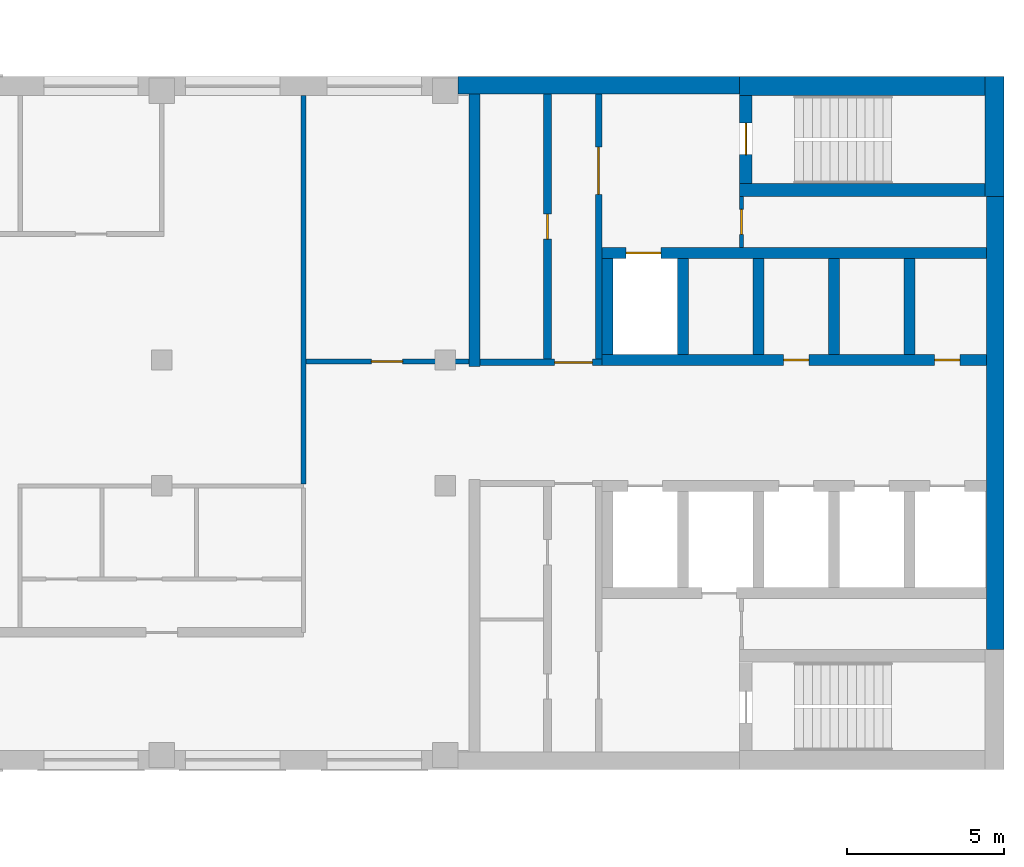
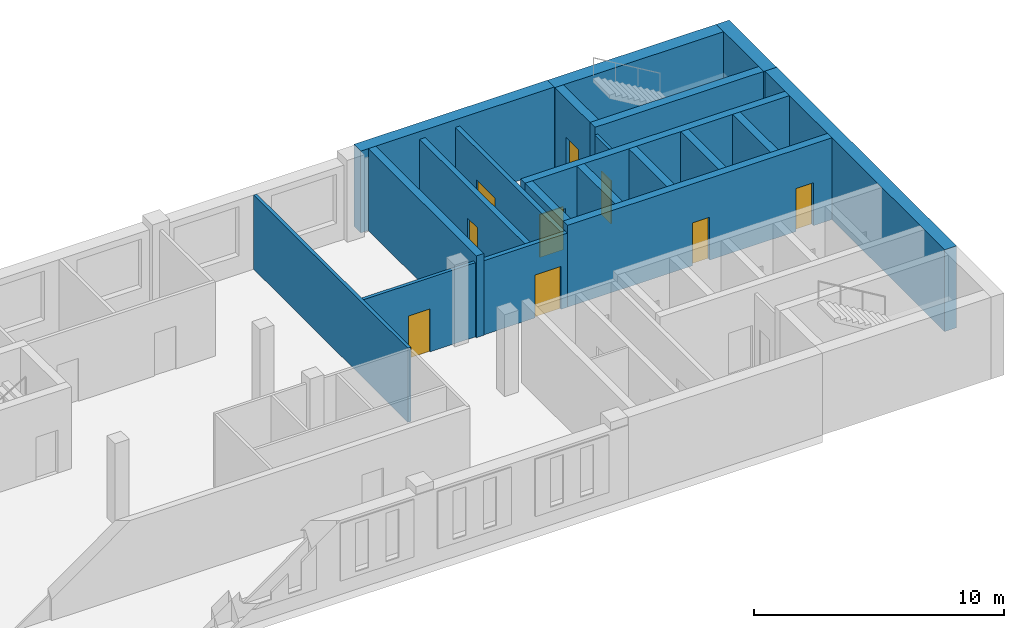
# One storey, part 6 of 10: 20 walls, 9 doors, 9 openings.
"""IFC4 building model written with IfcOpenShell, lengths in metres."""

from ifc_helpers import new_model, si_unit, direction, frame, frame_2d, origin, place, context, subcontext, project, spatial, rectangle, extrude, material, layer, layer_set, type_object, element, fill, save


model = new_model("IFC4")

# Units and contexts
model_context = context("Model", 3, precision=1e-05, world=origin(), true_north=direction((0.0, 1.0)))
body_context = subcontext(model_context, "Body", "Model", "MODEL_VIEW")
ifc_project = project(units=[si_unit("LENGTHUNIT", "METRE"), si_unit("AREAUNIT", "SQUARE_METRE"), si_unit("VOLUMEUNIT", "CUBIC_METRE"), si_unit("PLANEANGLEUNIT", "RADIAN"), si_unit("MASSUNIT", "GRAM", prefix="KILO")], contexts=[model_context])

# Site, building, storey
site_placement = place(None, origin())
site = spatial("IfcSite", under=ifc_project, at=site_placement, CompositionType="ELEMENT")
building_placement = place(site_placement, origin())
building = spatial("IfcBuilding", under=site, at=building_placement, Name="Skarvind Civic Tower", CompositionType="ELEMENT")
storey_placement = place(building_placement, frame((0.0, 0.0, 166.5)))
storey = spatial("IfcBuildingStorey", under=building, at=storey_placement, Name="L39", CompositionType="ELEMENT", Elevation=166.5)

# Wall, opening, door
ifc_material_1 = material(Name="Fire-rated masonry partition", Category="masonry")
ifc_layer_1 = layer(ifc_material_1, 0.199951171875)
ifc_layer_set_1 = layer_set([ifc_layer_1], Name="Core enclosure wall 200")
wall_type_1 = type_object("IfcWallType", Name="Core enclosure wall 200", PredefinedType="PARTITIONING", material=ifc_layer_set_1)
wall_1_placement = place(storey_placement, frame((91.35009765625, 129.925048828125, 0.0), z_axis=(0.0, 0.0, 1.0), x_axis=(1.0, 0.0, 0.0)))
wall_1 = element("IfcWall", 1, at=wall_1_placement, inside=storey, type_object=wall_type_1, Name="Core wall C1", PredefinedType="PARTITIONING", context=body_context, shape_type="SweptSolid", body=[
    extrude(rectangle(XDim=3.875, YDim=0.199951171875, at=frame_2d((1.9375, 0.0))), origin(), (0.0, 0.0, 1.0), 3.625),
])
opening_1_placement = place(wall_1_placement, frame((2.375, 0.0, 0.0)))
opening_1 = element("IfcOpeningElement", 2, at=opening_1_placement, cuts=wall_1, Name="Opening D-L39-C1-13", PredefinedType="OPENING", context=body_context, shape_type="SweptSolid", body=[
    extrude(rectangle(XDim=1.199951171875, YDim=2.10009765625, at=frame_2d((0.60009765625, 1.050048828125))), frame((0.0, 0.10986328125, 0.0), z_axis=(0.0, -1.0, 0.0), x_axis=(1.0, 0.0, 0.0)), (0.0, 0.0, 1.0), 0.219970703125),
])
ifc_material_2 = material(Name="Fire-rated steel door", Category="steel")
door_type_1 = type_object("IfcDoorType", Name="Core lobby door 1200", OperationType="NOTDEFINED", PredefinedType="DOOR", material=ifc_material_2)
door_1_placement = place(opening_1_placement, origin())
door_1 = element("IfcDoor", 3, at=door_1_placement, inside=storey, type_object=door_type_1, Name="Fire door", OperationType="DOUBLE_DOOR_SINGLE_SWING", OverallHeight=2.10009765625, OverallWidth=1.199951171875, PredefinedType="DOOR", context=body_context, shape_type="SweptSolid", body=[
    extrude(rectangle(XDim=1.199951171875, YDim=2.10009765625, at=frame_2d((0.60009765625, 1.050048828125))), frame((0.0, 0.02490234375, 0.0), z_axis=(0.0, -1.0, 0.0), x_axis=(1.0, 0.0, 0.0)), (0.0, 0.0, 1.0), 0.050048828125),
])
fill(opening_1, door_1)

wall_2_placement = place(storey_placement, frame((95.125, 130.02490234375, 0.0), z_axis=(0.0, 0.0, 1.0), x_axis=(0.0, 1.0, 0.0)))
wall_2 = element("IfcWall", 4, at=wall_2_placement, inside=storey, type_object=wall_type_1, Name="Core wall C1", PredefinedType="PARTITIONING", context=body_context, shape_type="SweptSolid", body=[
    extrude(rectangle(XDim=8.425048828125, YDim=0.199951171875, at=frame_2d((4.21240234375, 0.0))), origin(), (0.0, 0.0, 1.0), 3.625),
])
opening_2_placement = place(wall_2_placement, frame((5.237548828125, 0.0, 0.0)))
opening_2 = element("IfcOpeningElement", 5, at=opening_2_placement, cuts=wall_2, Name="Opening D-L39-C1-14", PredefinedType="OPENING", context=body_context, shape_type="SweptSolid", body=[
    extrude(rectangle(XDim=1.5, YDim=2.10009765625, at=frame_2d((0.75, 1.050048828125))), frame((0.0, 0.10986328125, 0.0), z_axis=(0.0, -1.0, 0.0), x_axis=(1.0, 0.0, 0.0)), (0.0, 0.0, 1.0), 0.219970703125),
])
door_type_2 = type_object("IfcDoorType", Name="Fire door 1500", OperationType="NOTDEFINED", PredefinedType="DOOR", material=ifc_material_2)
door_2_placement = place(opening_2_placement, origin())
door_2 = element("IfcDoor", 6, at=door_2_placement, inside=storey, type_object=door_type_2, Name="Fire door", OperationType="DOUBLE_DOOR_SINGLE_SWING", OverallHeight=2.10009765625, OverallWidth=1.5, PredefinedType="DOOR", context=body_context, shape_type="SweptSolid", body=[
    extrude(rectangle(XDim=1.5, YDim=2.10009765625, at=frame_2d((0.75, 1.050048828125))), frame((0.0, 0.02490234375, 0.0), z_axis=(0.0, -1.0, 0.0), x_axis=(1.0, 0.0, 0.0)), (0.0, 0.0, 1.0), 0.050048828125),
])
fill(opening_2, door_2)

# Wall, openings, doors
ifc_material_3 = material(Name="Concrete C60", Category="concrete")
ifc_layer_2 = layer(ifc_material_3, 0.35009765625)
ifc_layer_set_2 = layer_set([ifc_layer_2], Name="Core wall 350 C60")
wall_type_2 = type_object("IfcWallType", Name="Core wall 350 C60", PredefinedType="SHEAR", material=ifc_layer_set_2)
wall_3_placement = place(storey_placement, frame((107.449951171875, 130.0, 0.0), z_axis=(0.0, 0.0, 1.0), x_axis=(-1.0, 0.0, 0.0)))
wall_3 = element("IfcWall", 7, at=wall_3_placement, inside=storey, type_object=wall_type_2, Name="Core wall C1 south lift row front L39", PredefinedType="SHEAR", context=body_context, shape_type="SweptSolid", body=[
    extrude(rectangle(XDim=12.224853515625, YDim=0.35009765625, at=frame_2d((6.1123046875, 0.0))), origin(), (0.0, 0.0, 1.0), 4.0),
])
opening_3_placement = place(wall_3_placement, frame((0.85009765625, 0.0, 0.0)))
opening_3 = element("IfcOpeningElement", 8, at=opening_3_placement, cuts=wall_3, Name="Opening D-L39-C1-05", PredefinedType="OPENING", context=body_context, shape_type="SweptSolid", body=[
    extrude(rectangle(XDim=0.800048828125, YDim=2.10009765625, at=frame_2d((0.39990234375, 1.050048828125))), frame((0.0, 0.18505859375, 0.0), z_axis=(0.0, -1.0, 0.0), x_axis=(1.0, 0.0, 0.0)), (0.0, 0.0, 1.0), 0.3701171875),
])
opening_4_placement = place(wall_3_placement, frame((5.64990234375, 0.0, 0.0)))
opening_4 = element("IfcOpeningElement", 9, at=opening_4_placement, cuts=wall_3, Name="Opening D-L39-C1-06", PredefinedType="OPENING", context=body_context, shape_type="SweptSolid", body=[
    extrude(rectangle(XDim=0.800048828125, YDim=2.10009765625, at=frame_2d((0.39990234375, 1.050048828125))), frame((0.0, 0.18505859375, 0.0), z_axis=(0.0, -1.0, 0.0), x_axis=(1.0, 0.0, 0.0)), (0.0, 0.0, 1.0), 0.3701171875),
])
door_type_3 = type_object("IfcDoorType", Name="Core riser door 800", OperationType="NOTDEFINED", PredefinedType="DOOR", material=ifc_material_2)
door_3_placement = place(opening_3_placement, origin())
door_3 = element("IfcDoor", 10, at=door_3_placement, inside=storey, type_object=door_type_3, Name="Riser door", OperationType="SINGLE_SWING_LEFT", OverallHeight=2.10009765625, OverallWidth=0.800048828125, PredefinedType="DOOR", context=body_context, shape_type="SweptSolid", body=[
    extrude(rectangle(XDim=0.800048828125, YDim=2.10009765625, at=frame_2d((0.39990234375, 1.050048828125))), frame((0.0, 0.02490234375, 0.0), z_axis=(0.0, -1.0, 0.0), x_axis=(1.0, 0.0, 0.0)), (0.0, 0.0, 1.0), 0.050048828125),
])
fill(opening_3, door_3)
door_4_placement = place(opening_4_placement, origin())
door_4 = element("IfcDoor", 11, at=door_4_placement, inside=storey, type_object=door_type_3, Name="Riser door", OperationType="SINGLE_SWING_RIGHT", OverallHeight=2.10009765625, OverallWidth=0.800048828125, PredefinedType="DOOR", context=body_context, shape_type="SweptSolid", body=[
    extrude(rectangle(XDim=0.800048828125, YDim=2.10009765625, at=frame_2d((0.39990234375, 1.050048828125))), frame((0.0, 0.02490234375, 0.0), z_axis=(0.0, -1.0, 0.0), x_axis=(1.0, 0.0, 0.0)), (0.0, 0.0, 1.0), 0.050048828125),
])
fill(opening_4, door_4)

# Wall, opening, door
wall_4_placement = place(storey_placement, frame((107.449951171875, 133.39990234375, 0.0), z_axis=(0.0, 0.0, 1.0), x_axis=(-1.0, 0.0, 0.0)))
wall_4 = element("IfcWall", 12, at=wall_4_placement, inside=storey, type_object=wall_type_2, Name="Core wall C1 south lift row back L39", PredefinedType="SHEAR", context=body_context, shape_type="SweptSolid", body=[
    extrude(rectangle(XDim=12.224853515625, YDim=0.35009765625, at=frame_2d((6.1123046875, 0.0))), origin(), (0.0, 0.0, 1.0), 4.0),
])
opening_5_placement = place(wall_4_placement, frame((10.35009765625, 0.0, 0.0)))
opening_5 = element("IfcOpeningElement", 13, at=opening_5_placement, cuts=wall_4, Name="Opening LD41110", PredefinedType="OPENING", context=body_context, shape_type="SweptSolid", body=[
    extrude(rectangle(XDim=1.10009765625, YDim=2.10009765625, at=frame_2d((0.550048828125, 1.050048828125))), frame((0.0, 0.18505859375, 0.0), z_axis=(0.0, -1.0, 0.0), x_axis=(1.0, 0.0, 0.0)), (0.0, 0.0, 1.0), 0.3701171875),
])
ifc_material_4 = material(Name="Stainless steel landing door", Category="steel")
door_type_4 = type_object("IfcDoorType", Name="Lift landing door 1100", OperationType="DOUBLE_DOOR_SLIDING", PredefinedType="DOOR", material=ifc_material_4)
door_5_placement = place(opening_5_placement, origin())
door_5 = element("IfcDoor", 14, at=door_5_placement, inside=storey, type_object=door_type_4, Name="Lift landing door", OperationType="DOUBLE_DOOR_SLIDING", OverallHeight=2.10009765625, OverallWidth=1.10009765625, PredefinedType="DOOR", context=body_context, shape_type="SweptSolid", body=[
    extrude(rectangle(XDim=1.10009765625, YDim=2.10009765625, at=frame_2d((0.550048828125, 1.050048828125))), frame((0.0, 0.02490234375, 0.0), z_axis=(0.0, -1.0, 0.0), x_axis=(1.0, 0.0, 0.0)), (0.0, 0.0, 1.0), 0.050048828125),
])
fill(opening_5, door_5)

# Walls
for number, where, z_axis, x_axis, name in (
    (15, (105.0, 133.22509765625, 0.0), (0.0, 0.0, 1.0), (0.0, -1.0, 0.0), "Core wall C1 south lift row division 1 L39"),
    (16, (102.60009765625, 133.22509765625, 0.0), (0.0, 0.0, 1.0), (0.0, -1.0, 0.0), "Core wall C1 south lift row division 2 L39"),
    (17, (100.199951171875, 133.22509765625, 0.0), (0.0, 0.0, 1.0), (0.0, -1.0, 0.0), "Core wall C1 south lift row division 3 L39"),
    (18, (97.800048828125, 133.22509765625, 0.0), (0.0, 0.0, 1.0), (0.0, -1.0, 0.0), "Core wall C1 south lift row division 4 L39"),
    (19, (95.39990234375, 133.22509765625, 0.0), (0.0, 0.0, 1.0), (0.0, -1.0, 0.0), "Core wall C1 south lift row division 5 L39"),
):
    element("IfcWall", number, at=place(storey_placement, frame(where, z_axis=z_axis, x_axis=x_axis)), inside=storey, type_object=wall_type_2, Name=name, PredefinedType="SHEAR", context=body_context, shape_type="SweptSolid", body=[
        extrude(rectangle(XDim=3.050048828125, YDim=0.35009765625, at=frame_2d((1.52490234375, 0.0))), origin(), (0.0, 0.0, 1.0), 4.0),
    ])
wall_5_placement = place(storey_placement, frame((91.175048828125, 138.449951171875, 0.0), z_axis=(0.0, 0.0, 1.0), x_axis=(0.0, -1.0, 0.0)))
element("IfcWall", 20, at=wall_5_placement, inside=storey, type_object=wall_type_2, Name="Core wall C1 south inner face L39", PredefinedType="SHEAR", context=body_context, shape_type="SweptSolid", body=[
    extrude(rectangle(XDim=8.64990234375, YDim=0.35009765625, at=frame_2d((4.324951171875, 0.0))), origin(), (0.0, 0.0, 1.0), 4.0),
])
ifc_layer_3 = layer(ifc_material_3, 0.39990234375)
ifc_layer_set_3 = layer_set([ifc_layer_3], Name="Core wall 400 C60")
wall_type_3 = type_object("IfcWallType", Name="Core wall 400 C60", PredefinedType="SHEAR", material=ifc_layer_set_3)
wall_6_placement = place(storey_placement, frame((107.39990234375, 135.39990234375, 0.0), z_axis=(0.0, 0.0, 1.0), x_axis=(-1.0, 0.0, 0.0)))
element("IfcWall", 21, at=wall_6_placement, inside=storey, type_object=wall_type_3, Name="Core wall C1 south stair inner L39", PredefinedType="SHEAR", context=body_context, shape_type="SweptSolid", body=[
    extrude(rectangle(XDim=7.7998046875, YDim=0.39990234375, at=frame_2d((3.89990234375, 0.0))), origin(), (0.0, 0.0, 1.0), 4.0),
])

# Wall, opening, door
wall_7_placement = place(storey_placement, frame((99.800048828125, 138.39990234375, 0.0), z_axis=(0.0, 0.0, 1.0), x_axis=(0.0, -1.0, 0.0)))
wall_7 = element("IfcWall", 22, at=wall_7_placement, inside=storey, type_object=wall_type_3, Name="Core wall C1 south stair end L39", PredefinedType="SHEAR", context=body_context, shape_type="SweptSolid", body=[
    extrude(rectangle(XDim=2.7998046875, YDim=0.39990234375, at=frame_2d((1.39990234375, 0.0))), origin(), (0.0, 0.0, 1.0), 4.0),
])
opening_6_placement = place(wall_7_placement, frame((0.875, 0.0, 0.0)))
opening_6 = element("IfcOpeningElement", 23, at=opening_6_placement, cuts=wall_7, Name="Opening D-L39-C1-15", PredefinedType="OPENING", context=body_context, shape_type="SweptSolid", body=[
    extrude(rectangle(XDim=1.0, YDim=2.10009765625, at=frame_2d((0.5, 1.050048828125))), frame((0.0, 0.2099609375, 0.0), z_axis=(0.0, -1.0, 0.0), x_axis=(1.0, 0.0, 0.0)), (0.0, 0.0, 1.0), 0.419921875),
])
door_type_5 = type_object("IfcDoorType", Name="Fire door 1000", OperationType="NOTDEFINED", PredefinedType="DOOR", material=ifc_material_2)
door_6_placement = place(opening_6_placement, origin())
door_6 = element("IfcDoor", 24, at=door_6_placement, inside=storey, type_object=door_type_5, Name="Fire door", OperationType="SINGLE_SWING_RIGHT", OverallHeight=2.10009765625, OverallWidth=1.0, PredefinedType="DOOR", context=body_context, shape_type="SweptSolid", body=[
    extrude(rectangle(XDim=1.0, YDim=2.10009765625, at=frame_2d((0.5, 1.050048828125))), frame((0.0, 0.02490234375, 0.0), z_axis=(0.0, -1.0, 0.0), x_axis=(1.0, 0.0, 0.0)), (0.0, 0.0, 1.0), 0.050048828125),
])
fill(opening_6, door_6)

# Walls
ifc_layer_4 = layer(ifc_material_3, 0.550048828125)
ifc_layer_set_4 = layer_set([ifc_layer_4], Name="Core wall 550 C60")
wall_type_4 = type_object("IfcWallType", Name="Core wall 550 C60", PredefinedType="SHEAR", material=ifc_layer_set_4)
wall_8_placement = place(storey_placement, frame((107.72509765625, 135.199951171875, 0.0), z_axis=(0.0, 0.0, 1.0), x_axis=(0.0, -1.0, 0.0)))
element("IfcWall", 25, at=wall_8_placement, inside=storey, type_object=wall_type_4, Name="Core wall C1 tip between the stairs L39", PredefinedType="SHEAR", context=body_context, shape_type="SweptSolid", body=[
    extrude(rectangle(XDim=14.39990234375, YDim=0.550048828125, at=frame_2d((7.199951171875, 0.0))), origin(), (0.0, 0.0, 1.0), 4.0),
])
wall_9_placement = place(storey_placement, frame((99.60009765625, 138.72509765625, 0.0), z_axis=(0.0, 0.0, 1.0), x_axis=(-1.0, 0.0, 0.0)))
element("IfcWall", 26, at=wall_9_placement, inside=storey, type_object=wall_type_4, Name="Core wall C1 south side L39", PredefinedType="SHEAR", context=body_context, shape_type="SweptSolid", body=[
    extrude(rectangle(XDim=8.9501953125, YDim=0.550048828125, at=frame_2d((4.47509765625, 0.0))), origin(), (0.0, 0.0, 1.0), 4.0),
])
ifc_layer_5 = layer(ifc_material_3, 0.60009765625)
ifc_layer_set_5 = layer_set([ifc_layer_5], Name="Core wall 600 C60")
wall_type_5 = type_object("IfcWallType", Name="Core wall 600 C60", PredefinedType="SHEAR", material=ifc_layer_set_5)
wall_10_placement = place(storey_placement, frame((107.699951171875, 139.0, 0.0), z_axis=(0.0, 0.0, 1.0), x_axis=(0.0, -1.0, 0.0)))
element("IfcWall", 27, at=wall_10_placement, inside=storey, type_object=wall_type_5, Name="Core wall C1 tip at the south stair L39", PredefinedType="SHEAR", context=body_context, shape_type="SweptSolid", body=[
    extrude(rectangle(XDim=3.800048828125, YDim=0.60009765625, at=frame_2d((1.89990234375, 0.0))), origin(), (0.0, 0.0, 1.0), 4.0),
])
wall_11_placement = place(storey_placement, frame((107.39990234375, 138.699951171875, 0.0), z_axis=(0.0, 0.0, 1.0), x_axis=(-1.0, 0.0, 0.0)))
element("IfcWall", 28, at=wall_11_placement, inside=storey, type_object=wall_type_5, Name="Core wall C1 south side at the stair L39", PredefinedType="SHEAR", context=body_context, shape_type="SweptSolid", body=[
    extrude(rectangle(XDim=7.7998046875, YDim=0.60009765625, at=frame_2d((3.89990234375, 0.0))), origin(), (0.0, 0.0, 1.0), 4.0),
])
ifc_material_5 = material(Name="Plasterboard partition on steel studs", Category="steel")
ifc_layer_6 = layer(ifc_material_5, 0.14990234375)
ifc_layer_set_6 = layer_set([ifc_layer_6], Name="PARTITION 150")
wall_type_6 = type_object("IfcWallType", Name="PARTITION 150", PredefinedType="PARTITIONING", material=ifc_layer_set_6)
wall_12_placement = place(storey_placement, frame((85.75, 126.06005859375, 0.0), z_axis=(0.0, 0.0, 1.0), x_axis=(0.0, 1.0, 0.0)))
element("IfcWall", 29, at=wall_12_placement, inside=storey, type_object=wall_type_6, Name="Partition 39.030", PredefinedType="PARTITIONING", context=body_context, shape_type="SweptSolid", body=[
    extrude(rectangle(XDim=12.33984375, YDim=0.14990234375, at=frame_2d((6.169921875, 0.0))), origin(), (0.0, 0.0, 1.0), 3.625),
])

# Wall, opening, door
wall_13_placement = place(storey_placement, frame((85.824951171875, 129.949951171875, 0.0), z_axis=(0.0, 0.0, 1.0), x_axis=(1.0, 0.0, 0.0)))
wall_13 = element("IfcWall", 30, at=wall_13_placement, inside=storey, type_object=wall_type_6, Name="Partition 39.031", PredefinedType="PARTITIONING", context=body_context, shape_type="SweptSolid", body=[
    extrude(rectangle(XDim=5.175048828125, YDim=0.14990234375, at=frame_2d((2.58740234375, 0.0))), origin(), (0.0, 0.0, 1.0), 3.625),
])
opening_7_placement = place(wall_13_placement, frame((2.077392578125, 0.0, 0.0)))
opening_7 = element("IfcOpeningElement", 31, at=opening_7_placement, cuts=wall_13, Name="Opening L39-D001", PredefinedType="OPENING", context=body_context, shape_type="SweptSolid", body=[
    extrude(rectangle(XDim=1.0, YDim=2.10009765625, at=frame_2d((0.5, 1.050048828125))), frame((0.0, 0.0849609375, 0.0), z_axis=(0.0, -1.0, 0.0), x_axis=(1.0, 0.0, 0.0)), (0.0, 0.0, 1.0), 0.169921875),
])
ifc_material_6 = material(Name="Timber door leaf", Category="wood")
door_type_6 = type_object("IfcDoorType", Name="D1 1000x2100", OperationType="NOTDEFINED", PredefinedType="DOOR", material=ifc_material_6)
door_7_placement = place(opening_7_placement, origin())
door_7 = element("IfcDoor", 32, at=door_7_placement, inside=storey, type_object=door_type_6, Name="Door L39-D001", OperationType="SINGLE_SWING_LEFT", OverallHeight=2.10009765625, OverallWidth=1.0, PredefinedType="DOOR", context=body_context, shape_type="SweptSolid", body=[
    extrude(rectangle(XDim=1.0, YDim=2.10009765625, at=frame_2d((0.5, 1.050048828125))), frame((0.0, 0.02490234375, 0.0), z_axis=(0.0, -1.0, 0.0), x_axis=(1.0, 0.0, 0.0)), (0.0, 0.0, 1.0), 0.050048828125),
])
fill(opening_7, door_7)

ifc_layer_7 = layer(ifc_material_1, 0.125)
ifc_layer_set_7 = layer_set([ifc_layer_7], Name="Riser wall 125")
wall_type_7 = type_object("IfcWallType", Name="Riser wall 125", PredefinedType="PARTITIONING", material=ifc_layer_set_7)
wall_14_placement = place(storey_placement, frame((99.66259765625, 133.574951171875, 0.0), z_axis=(0.0, 0.0, 1.0), x_axis=(0.0, 1.0, 0.0)))
wall_14 = element("IfcWall", 33, at=wall_14_placement, inside=storey, type_object=wall_type_7, Name="Core wall C1", PredefinedType="PARTITIONING", context=body_context, shape_type="SweptSolid", body=[
    extrude(rectangle(XDim=1.625, YDim=0.125, at=frame_2d((0.8125, 0.0))), origin(), (0.0, 0.0, 1.0), 3.625),
])
opening_8_placement = place(wall_14_placement, frame((0.41259765625, 0.0, 0.0)))
opening_8 = element("IfcOpeningElement", 34, at=opening_8_placement, cuts=wall_14, Name="Opening D-L39-C1-16", PredefinedType="OPENING", context=body_context, shape_type="SweptSolid", body=[
    extrude(rectangle(XDim=0.800048828125, YDim=2.10009765625, at=frame_2d((0.39990234375, 1.050048828125))), frame((0.0, 0.072509765625, 0.0), z_axis=(0.0, -1.0, 0.0), x_axis=(1.0, 0.0, 0.0)), (0.0, 0.0, 1.0), 0.14501953125),
])
door_8_placement = place(opening_8_placement, origin())
door_8 = element("IfcDoor", 35, at=door_8_placement, inside=storey, type_object=door_type_3, Name="Riser door", OperationType="SINGLE_SWING_LEFT", OverallHeight=2.10009765625, OverallWidth=0.800048828125, PredefinedType="DOOR", context=body_context, shape_type="SweptSolid", body=[
    extrude(rectangle(XDim=0.800048828125, YDim=2.10009765625, at=frame_2d((0.39990234375, 1.050048828125))), frame((0.0, 0.02490234375, 0.0), z_axis=(0.0, -1.0, 0.0), x_axis=(1.0, 0.0, 0.0)), (0.0, 0.0, 1.0), 0.050048828125),
])
fill(opening_8, door_8)

ifc_layer_8 = layer(ifc_material_1, 0.25)
ifc_layer_set_8 = layer_set([ifc_layer_8], Name="Service block wall 250")
wall_type_8 = type_object("IfcWallType", Name="Service block wall 250", PredefinedType="PARTITIONING", material=ifc_layer_set_8)
wall_15_placement = place(storey_placement, frame((93.5, 130.02490234375, 0.0), z_axis=(0.0, 0.0, 1.0), x_axis=(0.0, 1.0, 0.0)))
wall_15 = element("IfcWall", 36, at=wall_15_placement, inside=storey, type_object=wall_type_8, Name="Core wall C1", PredefinedType="PARTITIONING", context=body_context, shape_type="SweptSolid", body=[
    extrude(rectangle(XDim=8.425048828125, YDim=0.25, at=frame_2d((4.21240234375, 0.0))), origin(), (0.0, 0.0, 1.0), 3.625),
])
opening_9_placement = place(wall_15_placement, frame((3.8125, 0.0, 0.0)))
opening_9 = element("IfcOpeningElement", 37, at=opening_9_placement, cuts=wall_15, Name="Opening D-L39-C1-17", PredefinedType="OPENING", context=body_context, shape_type="SweptSolid", body=[
    extrude(rectangle(XDim=0.800048828125, YDim=2.10009765625, at=frame_2d((0.39990234375, 1.050048828125))), frame((0.0, 0.135009765625, 0.0), z_axis=(0.0, -1.0, 0.0), x_axis=(1.0, 0.0, 0.0)), (0.0, 0.0, 1.0), 0.27001953125),
])
door_9_placement = place(opening_9_placement, origin())
door_9 = element("IfcDoor", 38, at=door_9_placement, inside=storey, type_object=door_type_3, Name="Riser door", OperationType="SINGLE_SWING_RIGHT", OverallHeight=2.10009765625, OverallWidth=0.800048828125, PredefinedType="DOOR", context=body_context, shape_type="SweptSolid", body=[
    extrude(rectangle(XDim=0.800048828125, YDim=2.10009765625, at=frame_2d((0.39990234375, 1.050048828125))), frame((0.0, 0.02490234375, 0.0), z_axis=(0.0, -1.0, 0.0), x_axis=(1.0, 0.0, 0.0)), (0.0, 0.0, 1.0), 0.050048828125),
])
fill(opening_9, door_9)

save(model, "model.ifc")
